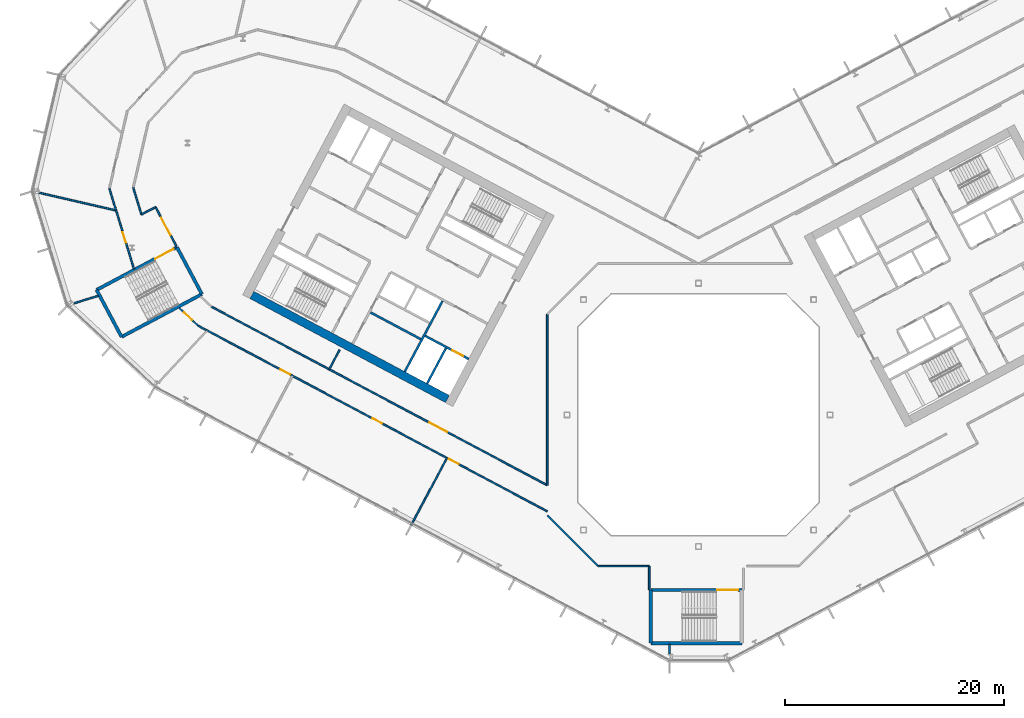
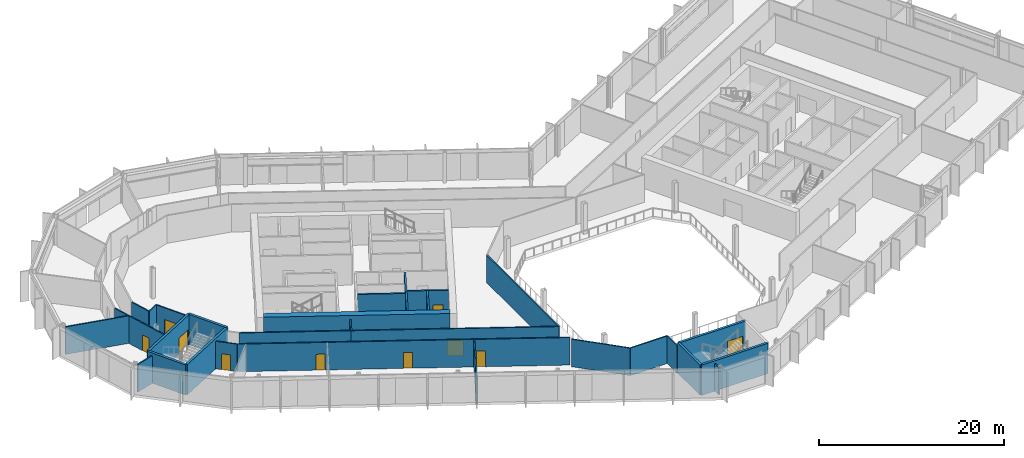
# One storey, part 13 of 28: 31 walls, 10 doors, 10 openings.
"""IFC4 building model written with IfcOpenShell, lengths in metres."""

import ifcopenshell
import ifcopenshell.guid

model = None  # the IFC model being written
_history = None  # IfcOwnerHistory: only IFC2X3 demands one
_inside = {}  # id of a spatial element -> (the spatial element, [elements in it])
_under = {}  # id of a project, library or spatial element -> (it, [spatial elements below it])
_declared = {}  # id of a project -> (the project, [libraries it declares])
_typed = {}  # id of a type object -> (the type object, [elements of that type])
_made_of = {}  # id of a material, layer set ... -> (it, [elements and type objects made of it])


def new_model(schema):
    """Start an empty IFC model of exactly this schema.

    Asked for "IFC4X3", IfcOpenShell would pick the latest addendum, in which some entities
    have other attributes; the version numbers below select the first issue.
    IFC2X3 requires an IfcOwnerHistory on every rooted entity: one is made here for all.
    """
    global model, _history
    if schema == "IFC4X3":
        model = ifcopenshell.file(schema_version=(4, 3, 0, 0))
    else:
        model = ifcopenshell.file(schema=schema)
    _inside.clear()
    _under.clear()
    _declared.clear()
    _typed.clear()
    _made_of.clear()
    _history = None
    if model.schema == "IFC2X3":
        org = make("IfcOrganization", Name="unknown")
        user = make(
            "IfcPersonAndOrganization",
            ThePerson=make("IfcPerson", FamilyName="unknown"),
            TheOrganization=org,
        )
        app = make(
            "IfcApplication",
            ApplicationDeveloper=org,
            Version="unknown",
            ApplicationFullName="unknown",
            ApplicationIdentifier="unknown",
        )
        _history = make(
            "IfcOwnerHistory",
            OwningUser=user,
            OwningApplication=app,
            ChangeAction="ADDED",
            CreationDate=0,
        )
    return model


def make(cls, **values):
    """One entity of the class cls with the attributes given. An attribute that is None is left unset."""
    return model.create_entity(
        cls, **{name: value for name, value in values.items() if value is not None}
    )


def rooted(cls, **values):
    """An entity with a GlobalId (a new one), such as an element, a storey or a relation."""
    return make(cls, GlobalId=ifcopenshell.guid.new(), OwnerHistory=_history, **values)


def si_unit(unit_type, name, prefix=None):
    """IfcSIUnit, for example si_unit("LENGTHUNIT", "METRE", prefix="MILLI")."""
    return make("IfcSIUnit", UnitType=unit_type, Prefix=prefix, Name=name)


def assignment(units):
    """IfcUnitAssignment: the units of a project."""
    return None if units is None else make("IfcUnitAssignment", Units=units)


def point(xyz):
    """IfcCartesianPoint."""
    return None if xyz is None else make("IfcCartesianPoint", Coordinates=xyz)


def direction(xyz):
    """IfcDirection."""
    return None if xyz is None else make("IfcDirection", DirectionRatios=xyz)


def frame(location, z_axis=None, x_axis=None):
    """IfcAxis2Placement3D, a coordinate frame: its origin and axes. An axis left out is left unset."""
    return make(
        "IfcAxis2Placement3D",
        Location=point(location),
        Axis=direction(z_axis),
        RefDirection=direction(x_axis),
    )


def frame_2d(location, x_axis=None):
    """IfcAxis2Placement2D, a coordinate frame in the plane: its origin and x axis."""
    return make(
        "IfcAxis2Placement2D", Location=point(location), RefDirection=direction(x_axis)
    )


def origin():
    """The frame at (0, 0, 0) with its axes left unset."""
    return frame((0.0, 0.0, 0.0))


def place(relative_to, where):
    """IfcLocalPlacement: puts the frame where relative to a parent placement (None: the world)."""
    return make(
        "IfcLocalPlacement", PlacementRelTo=relative_to, RelativePlacement=where
    )


def context(
    kind, dimensions, precision=None, world=None, true_north=None, identifier=None
):
    """IfcGeometricRepresentationContext, for example the 3D "Model" context."""
    return make(
        "IfcGeometricRepresentationContext",
        ContextIdentifier=identifier,
        ContextType=kind,
        CoordinateSpaceDimension=dimensions,
        Precision=precision,
        WorldCoordinateSystem=world,
        TrueNorth=true_north,
    )


def subcontext(parent, identifier, kind, view, scale=None):
    """IfcGeometricRepresentationSubContext, for example "Body" below "Model"."""
    return make(
        "IfcGeometricRepresentationSubContext",
        ContextIdentifier=identifier,
        ContextType=kind,
        ParentContext=parent,
        TargetScale=scale,
        TargetView=view,
    )


def project(units=None, contexts=None):
    """IfcProject with its units and contexts."""
    return rooted(
        "IfcProject",
        Name="project",
        RepresentationContexts=contexts,
        UnitsInContext=assignment(units),
    )


def spatial(cls, under=None, at=None, **own):
    """A site, building, storey or space (cls), placed at a placement, below another one or the project."""
    s = rooted(cls, ObjectPlacement=at, **own)
    if under is not None:
        _under.setdefault(under.id(), (under, []))[1].append(s)
    return s


def profile(cls, at=None, kind="AREA", **sizes):
    """A parametric profile (cls). Its sizes go by their IFC names, for example OverallWidth=200.0."""
    return make(cls, ProfileType=kind, Position=at, **sizes)


def rectangle(**sizes):
    """IfcRectangleProfileDef."""
    return profile("IfcRectangleProfileDef", **sizes)


def extrude(swept, where, along, depth):
    """IfcExtrudedAreaSolid: the profile swept, set in the frame where, extruded along a direction by depth."""
    return make(
        "IfcExtrudedAreaSolid",
        SweptArea=swept,
        Position=where,
        ExtrudedDirection=direction(along),
        Depth=depth,
    )


def shape(context_of_items, identifier, shape_type, items):
    """IfcShapeRepresentation: the items that make up one representation, for example the "Body"."""
    return make(
        "IfcShapeRepresentation",
        ContextOfItems=context_of_items,
        RepresentationIdentifier=identifier,
        RepresentationType=shape_type,
        Items=items,
    )


def material(Name=None, Category=None):
    """IfcMaterial."""
    return make("IfcMaterial", Name=Name, Category=Category)


def layer(
    of_material, thickness, ventilated=None, Name=None, Category=None, Priority=None
):
    """IfcMaterialLayer: one layer of a wall or slab, of a material (None: an air gap)."""
    return make(
        "IfcMaterialLayer",
        Material=of_material,
        LayerThickness=thickness,
        IsVentilated=ventilated,
        Name=Name,
        Category=Category,
        Priority=Priority,
    )


def layer_set(layers, Name=None):
    """IfcMaterialLayerSet."""
    return make("IfcMaterialLayerSet", MaterialLayers=layers, LayerSetName=Name)


def made_of(thing, what):
    """Note that an element or type object is made of a material, layer set ...; save() writes the relation."""
    if what is not None:
        _made_of.setdefault(what.id(), (what, []))[1].append(thing)
    return thing


def type_object(cls, material=None, **own):
    """A type object (cls), such as IfcWallType, which elements share."""
    return made_of(rooted(cls, **own), material)


def element(
    cls,
    number,
    at=None,
    inside=None,
    cuts=None,
    type_object=None,
    material=None,
    context=None,
    identifier="Body",
    shape_type=None,
    held_by="IfcProductDefinitionShape",
    body=None,
    shapes=None,
    **own,
):
    """One element of the class cls, such as IfcWall. Its Tag is "e" and its number.

    at: its placement. inside: the storey or other place that contains it. cuts: it is an
    opening in that element (IfcRelVoidsElement). A single representation is given by context,
    identifier, shape_type and body (its items); several are given by shapes. held_by: the class
    of the entity that holds the representations. save() writes the other relations.
    """
    e = rooted(cls, Tag="e%d" % number, ObjectPlacement=at, **own)
    if body is not None:
        shapes = [shape(context, identifier, shape_type, body)]
    if shapes is not None:
        e.Representation = make(held_by, Representations=shapes)
    if inside is not None:
        _inside.setdefault(inside.id(), (inside, []))[1].append(e)
    if cuts is not None:
        rooted(
            "IfcRelVoidsElement", RelatingBuildingElement=cuts, RelatedOpeningElement=e
        )
    if type_object is not None:
        _typed.setdefault(type_object.id(), (type_object, []))[1].append(e)
    return made_of(e, material)


def fill(opening, filler):
    """IfcRelFillsElement: the door or window that sits in an opening."""
    return rooted(
        "IfcRelFillsElement",
        RelatingOpeningElement=opening,
        RelatedBuildingElement=filler,
    )


def aggregate(whole, parts):
    """IfcRelAggregates: a whole, such as a stair, and the parts it consists of."""
    return rooted("IfcRelAggregates", RelatingObject=whole, RelatedObjects=parts)


def save(model, path):
    """Write the relations noted so far, then the file.

    IfcRelAggregates (storeys below a building ...), IfcRelContainedInSpatialStructure (elements
    in a storey), IfcRelDefinesByType, IfcRelAssociatesMaterial and IfcRelDeclares: one each for
    every whole, place, type object, material and project.
    """
    for whole, parts in _under.values():
        aggregate(whole, parts)
    for where, things in _inside.values():
        rooted(
            "IfcRelContainedInSpatialStructure",
            RelatedElements=things,
            RelatingStructure=where,
        )
    for kind, things in _typed.values():
        rooted("IfcRelDefinesByType", RelatedObjects=things, RelatingType=kind)
    for what, things in _made_of.values():
        rooted("IfcRelAssociatesMaterial", RelatedObjects=things, RelatingMaterial=what)
    for by, libraries in _declared.values():
        rooted("IfcRelDeclares", RelatingContext=by, RelatedDefinitions=libraries)
    model.write(path)


model = new_model("IFC4")

# Units and contexts
model_context = context("Model", 3, precision=1e-05, world=origin(), true_north=direction((0.0, 1.0)))
body_context = subcontext(model_context, "Body", "Model", "MODEL_VIEW")
ifc_project = project(units=[si_unit("LENGTHUNIT", "METRE"), si_unit("AREAUNIT", "SQUARE_METRE"), si_unit("VOLUMEUNIT", "CUBIC_METRE"), si_unit("PLANEANGLEUNIT", "RADIAN"), si_unit("MASSUNIT", "GRAM", prefix="KILO")], contexts=[model_context])

# Site, building, storey
site_placement = place(None, origin())
site = spatial("IfcSite", under=ifc_project, at=site_placement, CompositionType="ELEMENT")
building_placement = place(site_placement, origin())
building = spatial("IfcBuilding", under=site, at=building_placement, Name="Cormorant Relay Tower", CompositionType="ELEMENT")
storey_placement = place(building_placement, frame((0.0, 0.0, 138.199951171875)))
storey = spatial("IfcBuildingStorey", under=building, at=storey_placement, Name="L28", CompositionType="ELEMENT", Elevation=138.199951171875)

# Walls
ifc_material_1 = material(Name="Concrete 40 MPa", Category="concrete")
ifc_layer_1 = layer(ifc_material_1, 0.199951171875)
ifc_layer_set_1 = layer_set([ifc_layer_1], Name="Core internal wall 200")
wall_type_1 = type_object("IfcWallType", Name="Core internal wall 200", PredefinedType="SOLIDWALL", material=ifc_layer_set_1)
wall_1_placement = place(storey_placement, frame((-25.326416015625, 6.8974609375, 0.0), z_axis=(0.0, 0.0, 1.0), x_axis=(-0.882953967957, 0.469459572775, 0.0)))
element("IfcWall", 1, at=wall_1_placement, inside=storey, type_object=wall_type_1, Name="L28 core A shaft and room wall", PredefinedType="SOLIDWALL", context=body_context, shape_type="SweptSolid", body=[
    extrude(rectangle(XDim=5.199951171875, YDim=0.199951171875, at=frame_2d((2.60009765625, 0.0))), origin(), (0.0, 0.0, 1.0), 4.0),
])
ifc_material_2 = material(Name="Concrete 50 MPa", Category="concrete")
ifc_layer_2 = layer(ifc_material_2, 0.199951171875)
ifc_layer_set_2 = layer_set([ifc_layer_2], Name="Core shaft wall 200")
wall_type_2 = type_object("IfcWallType", Name="Core shaft wall 200", PredefinedType="SHEAR", material=ifc_layer_set_2)
wall_2_placement = place(storey_placement, frame((-23.04296875, 6.07958984375, 0.0), z_axis=(0.0, 0.0, 1.0), x_axis=(-0.469494272526, -0.882935517501, 0.0)))
element("IfcWall", 2, at=wall_2_placement, inside=storey, type_object=wall_type_2, Name="L28 core A shaft wall", PredefinedType="SHEAR", context=body_context, shape_type="SweptSolid", body=[
    extrude(rectangle(XDim=3.64990234375, YDim=0.199951171875, at=frame_2d((1.824951171875, 0.0))), origin(), (0.0, 0.0, 1.0), 4.0),
])
wall_3_placement = place(storey_placement, frame((-23.360107421875, 10.38232421875, 0.0), z_axis=(0.0, 0.0, 1.0), x_axis=(-0.469480409012, -0.88294288918, 0.0)))
element("IfcWall", 3, at=wall_3_placement, inside=storey, type_object=wall_type_2, Name="L28 core A shaft wall", PredefinedType="SHEAR", context=body_context, shape_type="SweptSolid", body=[
    extrude(rectangle(XDim=7.300048828125, YDim=0.199951171875, at=frame_2d((3.64990234375, 0.0))), origin(), (0.0, 0.0, 1.0), 4.0),
])

# Wall, opening, door
wall_4_placement = place(storey_placement, frame((-20.96533203125, 5.088134765625, 0.0), z_axis=(0.0, 0.0, 1.0), x_axis=(-0.882925986334, 0.469512196493, 0.0)))
wall_4 = element("IfcWall", 4, at=wall_4_placement, inside=storey, type_object=wall_type_2, Name="L28 core A shaft wall", PredefinedType="SHEAR", context=body_context, shape_type="SweptSolid", body=[
    extrude(rectangle(XDim=4.5, YDim=0.199951171875, at=frame_2d((2.25, 0.0))), origin(), (0.0, 0.0, 1.0), 4.0),
])
opening_1_placement = place(wall_4_placement, frame((0.60009765625, 0.0, 0.0)))
opening_1 = element("IfcOpeningElement", 5, at=opening_1_placement, cuts=wall_4, Name="Opening LD1-043", PredefinedType="OPENING", context=body_context, shape_type="SweptSolid", body=[
    extrude(rectangle(XDim=1.10009765625, YDim=2.10009765625, at=frame_2d((0.550048828125, 1.050048828125))), frame((0.0, 0.10986328125, 0.0), z_axis=(0.0, -1.0, 0.0), x_axis=(1.0, 0.0, 0.0)), (0.0, 0.0, 1.0), 0.219970703125),
])
ifc_material_3 = material(Name="Stainless steel 316", Category="steel")
door_type_1 = type_object("IfcDoorType", Name="Lift landing door 1100x2100", OperationType="DOUBLE_DOOR_SLIDING", PredefinedType="DOOR", material=ifc_material_3)
door_1_placement = place(opening_1_placement, origin())
door_1 = element("IfcDoor", 6, at=door_1_placement, inside=storey, type_object=door_type_1, Name="FF1 landing door", OperationType="DOUBLE_DOOR_SLIDING", OverallHeight=2.10009765625, OverallWidth=1.10009765625, PredefinedType="DOOR", context=body_context, shape_type="SweptSolid", body=[
    extrude(rectangle(XDim=1.10009765625, YDim=2.10009765625, at=frame_2d((0.550048828125, 1.050048828125))), frame((0.0, 0.02490234375, 0.0), z_axis=(0.0, -1.0, 0.0), x_axis=(1.0, 0.0, 0.0)), (0.0, 0.0, 1.0), 0.050048828125),
])
fill(opening_1, door_1)

# Walls
ifc_material_4 = material(Name="Concrete 60 MPa", Category="concrete")
ifc_layer_3 = layer(ifc_material_4, 0.75)
ifc_layer_set_3 = layer_set([ifc_layer_3], Name="Core wall 750")
wall_type_3 = type_object("IfcWallType", Name="Core wall 750", PredefinedType="SHEAR", material=ifc_layer_set_3)
wall_5_placement = place(storey_placement, frame((-22.90185546875, 1.446044921875, 0.0), z_axis=(0.0, 0.0, 1.0), x_axis=(-0.88294509198, 0.469476266226, 0.0)))
element("IfcWall", 7, at=wall_5_placement, inside=storey, type_object=wall_type_3, Name="L28 core A wall", PredefinedType="SHEAR", context=body_context, shape_type="SweptSolid", body=[
    extrude(rectangle(XDim=20.199951171875, YDim=0.75, at=frame_2d((10.10009765625, 0.0))), origin(), (0.0, 0.0, 1.0), 4.0),
])
ifc_material_5 = material(Name="Gypsum board fire partition")
ifc_layer_4 = layer(ifc_material_5, 0.14990234375)
ifc_layer_set_4 = layer_set([ifc_layer_4], Name="Corridor partition 150 EI 60")
wall_type_4 = type_object("IfcWallType", Name="Corridor partition 150 EI 60", PredefinedType="PARTITIONING", material=ifc_layer_set_4)
wall_6_placement = place(storey_placement, frame((-53.736083984375, 20.636962890625, 0.0), z_axis=(0.0, 0.0, 1.0), x_axis=(0.292570604626, -0.956243923541, 0.0)))
element("IfcWall", 8, at=wall_6_placement, inside=storey, type_object=wall_type_4, Name="wall/L28/part/005", PredefinedType="PARTITIONING", context=body_context, shape_type="SweptSolid", body=[
    extrude(rectangle(XDim=2.06103515625, YDim=0.14990234375, at=frame_2d((1.030517578125, 0.0))), origin(), (0.0, 0.0, 1.0), 3.64013671875),
])

# Wall, opening, door
wall_7_placement = place(storey_placement, frame((-51.498046875, 13.318115234375, 0.0), z_axis=(0.0, 0.0, 1.0), x_axis=(-0.292370483919, 0.956305129199, 0.0)))
wall_7 = element("IfcWall", 9, at=wall_7_placement, inside=storey, type_object=wall_type_4, Name="wall/L28/part/006", PredefinedType="PARTITIONING", context=body_context, shape_type="SweptSolid", body=[
    extrude(rectangle(XDim=5.59228515625, YDim=0.14990234375, at=frame_2d((2.796142578125, 0.0))), origin(), (0.0, 0.0, 1.0), 3.64013671875),
])
opening_2_placement = place(wall_7_placement, frame((2.5, 0.0, 0.0)))
opening_2 = element("IfcOpeningElement", 10, at=opening_2_placement, cuts=wall_7, Name="Opening DS-029", PredefinedType="OPENING", context=body_context, shape_type="SweptSolid", body=[
    extrude(rectangle(XDim=1.0, YDim=2.10009765625, at=frame_2d((0.5, 1.050048828125))), frame((0.0, 0.0849609375, 0.0), z_axis=(0.0, -1.0, 0.0), x_axis=(1.0, 0.0, 0.0)), (0.0, 0.0, 1.0), 0.169921875),
])
ifc_material_6 = material(Name="Timber door leaf", Category="wood")
door_type_2 = type_object("IfcDoorType", Name="Suite door 1000x2100", OperationType="SINGLE_SWING_LEFT", PredefinedType="DOOR", material=ifc_material_6)
door_2_placement = place(opening_2_placement, origin())
door_2 = element("IfcDoor", 11, at=door_2_placement, inside=storey, type_object=door_type_2, Name="door/L28/016", OperationType="SINGLE_SWING_LEFT", OverallHeight=2.10009765625, OverallWidth=1.0, PredefinedType="DOOR", context=body_context, shape_type="SweptSolid", body=[
    extrude(rectangle(XDim=1.0, YDim=2.10009765625, at=frame_2d((0.5, 1.050048828125))), frame((0.0, 0.02490234375, 0.0), z_axis=(0.0, -1.0, 0.0), x_axis=(1.0, 0.0, 0.0)), (0.0, 0.0, 1.0), 0.050048828125),
])
fill(opening_2, door_2)

wall_8_placement = place(storey_placement, frame((-47.62109375, 15.3779296875, 0.0), z_axis=(0.0, 0.0, 1.0), x_axis=(-0.469542997944, 0.882909606404, 0.0)))
wall_8 = element("IfcWall", 12, at=wall_8_placement, inside=storey, type_object=wall_type_4, Name="wall/L28/part/016", PredefinedType="PARTITIONING", context=body_context, shape_type="SweptSolid", body=[
    extrude(rectangle(XDim=4.050537109375, YDim=0.14990234375, at=frame_2d((2.025390625, 0.0))), origin(), (0.0, 0.0, 1.0), 3.64013671875),
])
opening_3_placement = place(wall_8_placement, frame((1.14990234375, 0.0, 0.0)))
opening_3 = element("IfcOpeningElement", 13, at=opening_3_placement, cuts=wall_8, Name="Opening DD-005", PredefinedType="OPENING", context=body_context, shape_type="SweptSolid", body=[
    extrude(rectangle(XDim=1.800048828125, YDim=2.10009765625, at=frame_2d((0.89990234375, 1.050048828125))), frame((0.0, 0.0849609375, 0.0), z_axis=(0.0, -1.0, 0.0), x_axis=(1.0, 0.0, 0.0)), (0.0, 0.0, 1.0), 0.169921875),
])
ifc_material_7 = material(Name="Timber door leaf", Category="wood")
door_type_3 = type_object("IfcDoorType", Name="Suite double door 1800x2100", OperationType="DOUBLE_DOOR_SINGLE_SWING", PredefinedType="DOOR", material=ifc_material_7)
door_3_placement = place(opening_3_placement, frame((1.800048828125, 0.0, 0.0), z_axis=(0.0, 0.0, 1.0), x_axis=(-1.0, 0.0, 0.0)))
door_3 = element("IfcDoor", 14, at=door_3_placement, inside=storey, type_object=door_type_3, Name="door/L28/001", OperationType="DOUBLE_DOOR_SINGLE_SWING", OverallHeight=2.10009765625, OverallWidth=1.800048828125, PredefinedType="DOOR", context=body_context, shape_type="SweptSolid", body=[
    extrude(rectangle(XDim=1.800048828125, YDim=2.10009765625, at=frame_2d((0.89990234375, 1.050048828125))), frame((0.0, 0.02490234375, 0.0), z_axis=(0.0, -1.0, 0.0), x_axis=(1.0, 0.0, 0.0)), (0.0, 0.0, 1.0), 0.050048828125),
])
fill(opening_3, door_3)

# Walls
wall_9_placement = place(storey_placement, frame((-49.52294921875, 18.9541015625, 0.0), z_axis=(0.0, 0.0, 1.0), x_axis=(-0.882657481443, -0.470016776778, 0.0)))
element("IfcWall", 15, at=wall_9_placement, inside=storey, type_object=wall_type_4, Name="wall/L28/part/017", PredefinedType="PARTITIONING", context=body_context, shape_type="SweptSolid", body=[
    extrude(rectangle(XDim=1.4638671875, YDim=0.14990234375, at=frame_2d((0.73193359375, 0.0))), origin(), (0.0, 0.0, 1.0), 3.64013671875),
])
wall_10_placement = place(storey_placement, frame((-50.81494140625, 18.26611328125, 0.0), z_axis=(0.0, 0.0, 1.0), x_axis=(-0.292368834646, 0.956305633429, 0.0)))
element("IfcWall", 16, at=wall_10_placement, inside=storey, type_object=wall_type_4, Name="wall/L28/part/018", PredefinedType="PARTITIONING", context=body_context, shape_type="SweptSolid", body=[
    extrude(rectangle(XDim=2.55859375, YDim=0.14990234375, at=frame_2d((1.279296875, 0.0))), origin(), (0.0, 0.0, 1.0), 3.64013671875),
])
wall_11_placement = place(storey_placement, frame((-44.8798828125, 7.72412109375, 0.0), z_axis=(0.0, 0.0, 1.0), x_axis=(-0.883060479617, 0.469259192067, 0.0)))
element("IfcWall", 17, at=wall_11_placement, inside=storey, type_object=wall_type_4, Name="wall/L28/part/024", PredefinedType="PARTITIONING", context=body_context, shape_type="SweptSolid", body=[
    extrude(rectangle(XDim=0.8583984375, YDim=0.14990234375, at=frame_2d((0.42919921875, 0.0))), origin(), (0.0, 0.0, 1.0), 3.64013671875),
])

# Wall, opening, door
wall_12_placement = place(storey_placement, frame((-45.637939453125, 8.126953125, 0.0), z_axis=(0.0, 0.0, 1.0), x_axis=(-0.731136071802, 0.682231664839, 0.0)))
wall_12 = element("IfcWall", 18, at=wall_12_placement, inside=storey, type_object=wall_type_4, Name="wall/L28/part/025", PredefinedType="PARTITIONING", context=body_context, shape_type="SweptSolid", body=[
    extrude(rectangle(XDim=2.4111328125, YDim=0.14990234375, at=frame_2d((1.20556640625, 0.0))), origin(), (0.0, 0.0, 1.0), 3.64013671875),
])
opening_4_placement = place(wall_12_placement, frame((0.75, 0.0, 0.0)))
opening_4 = element("IfcOpeningElement", 19, at=opening_4_placement, cuts=wall_12, Name="Opening DS-030", PredefinedType="OPENING", context=body_context, shape_type="SweptSolid", body=[
    extrude(rectangle(XDim=1.0, YDim=2.10009765625, at=frame_2d((0.5, 1.050048828125))), frame((0.0, 0.0849609375, 0.0), z_axis=(0.0, -1.0, 0.0), x_axis=(1.0, 0.0, 0.0)), (0.0, 0.0, 1.0), 0.169921875),
])
door_4_placement = place(opening_4_placement, origin())
door_4 = element("IfcDoor", 20, at=door_4_placement, inside=storey, type_object=door_type_2, Name="door/L28/017", OperationType="SINGLE_SWING_RIGHT", OverallHeight=2.10009765625, OverallWidth=1.0, PredefinedType="DOOR", context=body_context, shape_type="SweptSolid", body=[
    extrude(rectangle(XDim=1.0, YDim=2.10009765625, at=frame_2d((0.5, 1.050048828125))), frame((0.0, 0.02490234375, 0.0), z_axis=(0.0, -1.0, 0.0), x_axis=(1.0, 0.0, 0.0)), (0.0, 0.0, 1.0), 0.050048828125),
])
fill(opening_4, door_4)

# Wall, openings, doors
wall_13_placement = place(storey_placement, frame((-13.802001953125, -8.800048828125, 0.0), z_axis=(0.0, 0.0, 1.0), x_axis=(-0.882950330338, 0.4694664143, 0.0)))
wall_13 = element("IfcWall", 21, at=wall_13_placement, inside=storey, type_object=wall_type_4, Name="wall/L28/part/027", PredefinedType="PARTITIONING", context=body_context, shape_type="SweptSolid", body=[
    extrude(rectangle(XDim=35.19775390625, YDim=0.14990234375, at=frame_2d((17.598876953125, 0.0))), origin(), (0.0, 0.0, 1.0), 3.64013671875),
])
opening_5_placement = place(wall_13_placement, frame((26.550048828125, 0.0, 0.0)))
opening_5 = element("IfcOpeningElement", 22, at=opening_5_placement, cuts=wall_13, Name="Opening DS-031", PredefinedType="OPENING", context=body_context, shape_type="SweptSolid", body=[
    extrude(rectangle(XDim=1.0, YDim=2.10009765625, at=frame_2d((0.5, 1.050048828125))), frame((0.0, 0.0849609375, 0.0), z_axis=(0.0, -1.0, 0.0), x_axis=(1.0, 0.0, 0.0)), (0.0, 0.0, 1.0), 0.169921875),
])
opening_6_placement = place(wall_13_placement, frame((17.050048828125, 0.0, 0.0)))
opening_6 = element("IfcOpeningElement", 23, at=opening_6_placement, cuts=wall_13, Name="Opening DS-032", PredefinedType="OPENING", context=body_context, shape_type="SweptSolid", body=[
    extrude(rectangle(XDim=1.0, YDim=2.10009765625, at=frame_2d((0.5, 1.050048828125))), frame((0.0, 0.0849609375, 0.0), z_axis=(0.0, -1.0, 0.0), x_axis=(1.0, 0.0, 0.0)), (0.0, 0.0, 1.0), 0.169921875),
])
opening_7_placement = place(wall_13_placement, frame((9.14892578125, 0.0, 0.0)))
opening_7 = element("IfcOpeningElement", 24, at=opening_7_placement, cuts=wall_13, Name="Opening DS-033", PredefinedType="OPENING", context=body_context, shape_type="SweptSolid", body=[
    extrude(rectangle(XDim=1.0, YDim=2.10009765625, at=frame_2d((0.5, 1.050048828125))), frame((0.0, 0.0849609375, 0.0), z_axis=(0.0, -1.0, 0.0), x_axis=(1.0, 0.0, 0.0)), (0.0, 0.0, 1.0), 0.169921875),
])
door_5_placement = place(opening_5_placement, origin())
door_5 = element("IfcDoor", 25, at=door_5_placement, inside=storey, type_object=door_type_2, Name="door/L28/018", OperationType="SINGLE_SWING_LEFT", OverallHeight=2.10009765625, OverallWidth=1.0, PredefinedType="DOOR", context=body_context, shape_type="SweptSolid", body=[
    extrude(rectangle(XDim=1.0, YDim=2.10009765625, at=frame_2d((0.5, 1.050048828125))), frame((0.0, 0.02490234375, 0.0), z_axis=(0.0, -1.0, 0.0), x_axis=(1.0, 0.0, 0.0)), (0.0, 0.0, 1.0), 0.050048828125),
])
fill(opening_5, door_5)
door_6_placement = place(opening_6_placement, origin())
door_6 = element("IfcDoor", 26, at=door_6_placement, inside=storey, type_object=door_type_2, Name="door/L28/019", OperationType="SINGLE_SWING_LEFT", OverallHeight=2.10009765625, OverallWidth=1.0, PredefinedType="DOOR", context=body_context, shape_type="SweptSolid", body=[
    extrude(rectangle(XDim=1.0, YDim=2.10009765625, at=frame_2d((0.5, 1.050048828125))), frame((0.0, 0.02490234375, 0.0), z_axis=(0.0, -1.0, 0.0), x_axis=(1.0, 0.0, 0.0)), (0.0, 0.0, 1.0), 0.050048828125),
])
fill(opening_6, door_6)
door_7_placement = place(opening_7_placement, origin())
door_7 = element("IfcDoor", 27, at=door_7_placement, inside=storey, type_object=door_type_2, Name="door/L28/020", OperationType="SINGLE_SWING_RIGHT", OverallHeight=2.10009765625, OverallWidth=1.0, PredefinedType="DOOR", context=body_context, shape_type="SweptSolid", body=[
    extrude(rectangle(XDim=1.0, YDim=2.10009765625, at=frame_2d((0.5, 1.050048828125))), frame((0.0, 0.02490234375, 0.0), z_axis=(0.0, -1.0, 0.0), x_axis=(1.0, 0.0, 0.0)), (0.0, 0.0, 1.0), 0.050048828125),
])
fill(opening_7, door_7)

# Wall
wall_14_placement = place(storey_placement, frame((-33.68505859375, 4.14990234375, 0.0), z_axis=(0.0, 0.0, 1.0), x_axis=(-0.882957675396, 0.469452599801, 0.0)))
element("IfcWall", 28, at=wall_14_placement, inside=storey, type_object=wall_type_4, Name="wall/L28/part/028", PredefinedType="PARTITIONING", context=body_context, shape_type="SweptSolid", body=[
    extrude(rectangle(XDim=12.144287109375, YDim=0.14990234375, at=frame_2d((6.072265625, 0.0))), origin(), (0.0, 0.0, 1.0), 3.64013671875),
])

# Wall, opening, door
wall_15_placement = place(storey_placement, frame((-13.800048828125, -6.423095703125, 0.0), z_axis=(0.0, 0.0, 1.0), x_axis=(-0.882948498314, 0.469469859869, 0.0)))
wall_15 = element("IfcWall", 29, at=wall_15_placement, inside=storey, type_object=wall_type_4, Name="wall/L28/part/036", PredefinedType="PARTITIONING", context=body_context, shape_type="SweptSolid", body=[
    extrude(rectangle(XDim=22.521240234375, YDim=0.14990234375, at=frame_2d((11.2607421875, 0.0))), origin(), (0.0, 0.0, 1.0), 3.64013671875),
])
opening_8_placement = place(wall_15_placement, frame((10.35009765625, 0.0, 0.0)))
opening_8 = element("IfcOpeningElement", 30, at=opening_8_placement, cuts=wall_15, Name="Opening DD-006", PredefinedType="OPENING", context=body_context, shape_type="SweptSolid", body=[
    extrude(rectangle(XDim=1.800048828125, YDim=2.10009765625, at=frame_2d((0.89990234375, 1.050048828125))), frame((0.0, 0.0849609375, 0.0), z_axis=(0.0, -1.0, 0.0), x_axis=(1.0, 0.0, 0.0)), (0.0, 0.0, 1.0), 0.169921875),
])
door_8_placement = place(opening_8_placement, frame((1.800048828125, 0.0, 0.0), z_axis=(0.0, 0.0, 1.0), x_axis=(-1.0, 0.0, 0.0)))
door_8 = element("IfcDoor", 31, at=door_8_placement, inside=storey, type_object=door_type_3, Name="door/L28/002", OperationType="DOUBLE_DOOR_SINGLE_SWING", OverallHeight=2.10009765625, OverallWidth=1.800048828125, PredefinedType="DOOR", context=body_context, shape_type="SweptSolid", body=[
    extrude(rectangle(XDim=1.800048828125, YDim=2.10009765625, at=frame_2d((0.89990234375, 1.050048828125))), frame((0.0, 0.02490234375, 0.0), z_axis=(0.0, -1.0, 0.0), x_axis=(1.0, 0.0, 0.0)), (0.0, 0.0, 1.0), 0.050048828125),
])
fill(opening_8, door_8)

# Walls
wall_16_placement = place(storey_placement, frame((-13.800048828125, 9.159912109375, 0.0), z_axis=(0.0, 0.0, 1.0), x_axis=(0.0, -1.0, 0.0)))
element("IfcWall", 32, at=wall_16_placement, inside=storey, type_object=wall_type_4, Name="wall/L28/part/047", PredefinedType="PARTITIONING", context=body_context, shape_type="SweptSolid", body=[
    extrude(rectangle(XDim=15.5830078125, YDim=0.14990234375, at=frame_2d((7.79150390625, 0.0))), origin(), (0.0, 0.0, 1.0), 3.64013671875),
])
wall_17_placement = place(storey_placement, frame((-4.493896484375, -13.800048828125, 0.0), z_axis=(0.0, 0.0, 1.0), x_axis=(-1.0, 0.0, 0.0)))
element("IfcWall", 33, at=wall_17_placement, inside=storey, type_object=wall_type_4, Name="wall/L28/part/048", PredefinedType="PARTITIONING", context=body_context, shape_type="SweptSolid", body=[
    extrude(rectangle(XDim=4.666015625, YDim=0.14990234375, at=frame_2d((2.3330078125, 0.0))), origin(), (0.0, 0.0, 1.0), 3.64013671875),
])
wall_18_placement = place(storey_placement, frame((-9.159912109375, -13.800048828125, 0.0), z_axis=(0.0, 0.0, 1.0), x_axis=(-0.707106781187, 0.707106781187, 0.0)))
element("IfcWall", 34, at=wall_18_placement, inside=storey, type_object=wall_type_4, Name="wall/L28/part/049", PredefinedType="PARTITIONING", context=body_context, shape_type="SweptSolid", body=[
    extrude(rectangle(XDim=6.562255859375, YDim=0.14990234375, at=frame_2d((3.28125, 0.0))), origin(), (0.0, 0.0, 1.0), 3.64013671875),
])
wall_19_placement = place(storey_placement, frame((-4.5, -15.97509765625, 0.0), z_axis=(0.0, 0.0, 1.0), x_axis=(0.0, 1.0, 0.0)))
element("IfcWall", 35, at=wall_19_placement, inside=storey, type_object=wall_type_4, Name="wall/L28/part/050", PredefinedType="PARTITIONING", context=body_context, shape_type="SweptSolid", body=[
    extrude(rectangle(XDim=2.150146484375, YDim=0.14990234375, at=frame_2d((1.0751953125, 0.0))), origin(), (0.0, 0.0, 1.0), 3.64013671875),
])
ifc_material_8 = material(Name="Concrete 50 MPa", Category="concrete")
ifc_layer_5 = layer(ifc_material_8, 0.300048828125)
ifc_layer_set_5 = layer_set([ifc_layer_5], Name="Remote stair wall 300")
wall_type_5 = type_object("IfcWallType", Name="Remote stair wall 300", PredefinedType="SHEAR", material=ifc_layer_set_5)
wall_20_placement = place(storey_placement, frame((3.949951171875, -20.824951171875, 0.0), z_axis=(0.0, 0.0, 1.0), x_axis=(-1.0, 0.0, 0.0)))
element("IfcWall", 36, at=wall_20_placement, inside=storey, type_object=wall_type_5, Name="L28 exit stair RK1 wall", PredefinedType="SHEAR", context=body_context, shape_type="SweptSolid", body=[
    extrude(rectangle(XDim=8.300048828125, YDim=0.300048828125, at=frame_2d((4.14990234375, 0.0))), origin(), (0.0, 0.0, 1.0), 4.0),
])
wall_21_placement = place(storey_placement, frame((-4.35009765625, -20.824951171875, 0.0), z_axis=(0.0, 0.0, 1.0), x_axis=(0.0, 1.0, 0.0)))
element("IfcWall", 37, at=wall_21_placement, inside=storey, type_object=wall_type_5, Name="L28 exit stair RK1 wall", PredefinedType="SHEAR", context=body_context, shape_type="SweptSolid", body=[
    extrude(rectangle(XDim=4.849853515625, YDim=0.300048828125, at=frame_2d((2.4248046875, 0.0))), origin(), (0.0, 0.0, 1.0), 4.0),
])

# Wall, opening, door
wall_22_placement = place(storey_placement, frame((-4.35009765625, -15.97509765625, 0.0), z_axis=(0.0, 0.0, 1.0), x_axis=(1.0, 0.0, 0.0)))
wall_22 = element("IfcWall", 38, at=wall_22_placement, inside=storey, type_object=wall_type_5, Name="L28 exit stair RK1 wall", PredefinedType="SHEAR", context=body_context, shape_type="SweptSolid", body=[
    extrude(rectangle(XDim=8.300048828125, YDim=0.300048828125, at=frame_2d((4.14990234375, 0.0))), origin(), (0.0, 0.0, 1.0), 4.0),
])
opening_9_placement = place(wall_22_placement, frame((6.050048828125, 0.0, 0.0)))
opening_9 = element("IfcOpeningElement", 39, at=opening_9_placement, cuts=wall_22, Name="Opening CDE-012", PredefinedType="OPENING", context=body_context, shape_type="SweptSolid", body=[
    extrude(rectangle(XDim=1.89990234375, YDim=2.10009765625, at=frame_2d((0.949951171875, 1.050048828125))), frame((0.0, 0.159912109375, 0.0), z_axis=(0.0, -1.0, 0.0), x_axis=(1.0, 0.0, 0.0)), (0.0, 0.0, 1.0), 0.320068359375),
])
ifc_material_9 = material(Name="Steel fire door", Category="steel")
door_type_4 = type_object("IfcDoorType", Name="Remote stair door 1900x2100", OperationType="DOUBLE_DOOR_SINGLE_SWING", PredefinedType="DOOR", material=ifc_material_9)
door_9_placement = place(opening_9_placement, frame((1.89990234375, 0.0, 0.0), z_axis=(0.0, 0.0, 1.0), x_axis=(-1.0, 0.0, 0.0)))
door_9 = element("IfcDoor", 40, at=door_9_placement, inside=storey, type_object=door_type_4, Name="Exit stair RK1 door", OperationType="DOUBLE_DOOR_SINGLE_SWING", OverallHeight=2.10009765625, OverallWidth=1.89990234375, PredefinedType="DOOR", context=body_context, shape_type="SweptSolid", body=[
    extrude(rectangle(XDim=1.89990234375, YDim=2.10009765625, at=frame_2d((0.949951171875, 1.050048828125))), frame((0.0, 0.02490234375, 0.0), z_axis=(0.0, -1.0, 0.0), x_axis=(1.0, 0.0, 0.0)), (0.0, 0.0, 1.0), 0.050048828125),
])
fill(opening_9, door_9)

# Walls
wall_23_placement = place(storey_placement, frame((-47.57421875, 15.28955078125, 0.0), z_axis=(0.0, 0.0, 1.0), x_axis=(0.469443498566, -0.882962514297, 0.0)))
element("IfcWall", 41, at=wall_23_placement, inside=storey, type_object=wall_type_5, Name="L28 exit stair RP1 wall", PredefinedType="SHEAR", context=body_context, shape_type="SweptSolid", body=[
    extrude(rectangle(XDim=4.85009765625, YDim=0.300048828125, at=frame_2d((2.425048828125, 0.0))), origin(), (0.0, 0.0, 1.0), 4.0),
])
wall_24_placement = place(storey_placement, frame((-45.29736328125, 11.007080078125, 0.0), z_axis=(0.0, 0.0, 1.0), x_axis=(-0.882951519127, -0.469464178475, 0.0)))
element("IfcWall", 42, at=wall_24_placement, inside=storey, type_object=wall_type_5, Name="L28 exit stair RP1 wall", PredefinedType="SHEAR", context=body_context, shape_type="SweptSolid", body=[
    extrude(rectangle(XDim=8.2998046875, YDim=0.300048828125, at=frame_2d((4.14990234375, 0.0))), origin(), (0.0, 0.0, 1.0), 4.0),
])
wall_25_placement = place(storey_placement, frame((-52.625732421875, 7.110595703125, 0.0), z_axis=(0.0, 0.0, 1.0), x_axis=(-0.469464364128, 0.882951420416, 0.0)))
element("IfcWall", 43, at=wall_25_placement, inside=storey, type_object=wall_type_5, Name="L28 exit stair RP1 wall", PredefinedType="SHEAR", context=body_context, shape_type="SweptSolid", body=[
    extrude(rectangle(XDim=4.849853515625, YDim=0.300048828125, at=frame_2d((2.4248046875, 0.0))), origin(), (0.0, 0.0, 1.0), 4.0),
])

# Wall, opening, door
wall_26_placement = place(storey_placement, frame((-54.902587890625, 11.392822265625, 0.0), z_axis=(0.0, 0.0, 1.0), x_axis=(0.882939326045, 0.469487110071, 0.0)))
wall_26 = element("IfcWall", 44, at=wall_26_placement, inside=storey, type_object=wall_type_5, Name="L28 exit stair RP1 wall", PredefinedType="SHEAR", context=body_context, shape_type="SweptSolid", body=[
    extrude(rectangle(XDim=8.300048828125, YDim=0.300048828125, at=frame_2d((4.14990234375, 0.0))), origin(), (0.0, 0.0, 1.0), 4.0),
])
opening_10_placement = place(wall_26_placement, frame((6.050048828125, 0.0, 0.0)))
opening_10 = element("IfcOpeningElement", 45, at=opening_10_placement, cuts=wall_26, Name="Opening CDE-013", PredefinedType="OPENING", context=body_context, shape_type="SweptSolid", body=[
    extrude(rectangle(XDim=1.89990234375, YDim=2.10009765625, at=frame_2d((0.949951171875, 1.050048828125))), frame((0.0, 0.159912109375, 0.0), z_axis=(0.0, -1.0, 0.0), x_axis=(1.0, 0.0, 0.0)), (0.0, 0.0, 1.0), 0.320068359375),
])
door_10_placement = place(opening_10_placement, frame((1.89990234375, 0.0, 0.0), z_axis=(0.0, 0.0, 1.0), x_axis=(-1.0, 0.0, 0.0)))
door_10 = element("IfcDoor", 46, at=door_10_placement, inside=storey, type_object=door_type_4, Name="Exit stair RP1 door", OperationType="DOUBLE_DOOR_SINGLE_SWING", OverallHeight=2.10009765625, OverallWidth=1.89990234375, PredefinedType="DOOR", context=body_context, shape_type="SweptSolid", body=[
    extrude(rectangle(XDim=1.89990234375, YDim=2.10009765625, at=frame_2d((0.949951171875, 1.050048828125))), frame((0.0, 0.02490234375, 0.0), z_axis=(0.0, -1.0, 0.0), x_axis=(1.0, 0.0, 0.0)), (0.0, 0.0, 1.0), 0.050048828125),
])
fill(opening_10, door_10)

# Walls
ifc_material_10 = material(Name="Gypsum board partition")
ifc_layer_6 = layer(ifc_material_10, 0.14990234375)
ifc_layer_set_6 = layer_set([ifc_layer_6], Name="Tenant partition 150")
wall_type_6 = type_object("IfcWallType", Name="Tenant partition 150", PredefinedType="PARTITIONING", material=ifc_layer_set_6)
wall_27_placement = place(storey_placement, frame((-53.125, 18.639892578125, 0.0), z_axis=(0.0, 0.0, 1.0), x_axis=(-0.974351745411, 0.225030389536, 0.0)))
element("IfcWall", 47, at=wall_27_placement, inside=storey, type_object=wall_type_6, Name="wall/L28/part/001", PredefinedType="PARTITIONING", context=body_context, shape_type="SweptSolid", body=[
    extrude(rectangle(XDim=7.199462890625, YDim=0.14990234375, at=frame_2d((3.599609375, 0.0))), origin(), (0.0, 0.0, 1.0), 3.64013671875),
])
wall_28_placement = place(storey_placement, frame((-54.73193359375, 10.85693359375, 0.0), z_axis=(0.0, 0.0, 1.0), x_axis=(-0.956196980242, -0.292723991119, 0.0)))
element("IfcWall", 48, at=wall_28_placement, inside=storey, type_object=wall_type_6, Name="wall/L28/part/003", PredefinedType="PARTITIONING", context=body_context, shape_type="SweptSolid", body=[
    extrude(rectangle(XDim=2.343505859375, YDim=0.14990234375, at=frame_2d((1.171875, 0.0))), origin(), (0.0, 0.0, 1.0), 3.64013671875),
])
wall_29_placement = place(storey_placement, frame((-22.950927734375, -3.93603515625, 0.0), z_axis=(0.0, 0.0, 1.0), x_axis=(-0.469541311651, -0.882910503196, 0.0)))
element("IfcWall", 49, at=wall_29_placement, inside=storey, type_object=wall_type_6, Name="wall/L28/part/033", PredefinedType="PARTITIONING", context=body_context, shape_type="SweptSolid", body=[
    extrude(rectangle(XDim=6.94970703125, YDim=0.14990234375, at=frame_2d((3.474853515625, 0.0))), origin(), (0.0, 0.0, 1.0), 3.64013671875),
])
wall_30_placement = place(storey_placement, frame((-32.73193359375, 5.943115234375, 0.0), z_axis=(0.0, 0.0, 1.0), x_axis=(-0.469339803677, -0.88301763781, 0.0)))
element("IfcWall", 50, at=wall_30_placement, inside=storey, type_object=wall_type_6, Name="wall/L28/part/037", PredefinedType="PARTITIONING", context=body_context, shape_type="SweptSolid", body=[
    extrude(rectangle(XDim=2.03076171875, YDim=0.14990234375, at=frame_2d((1.015380859375, 0.0))), origin(), (0.0, 0.0, 1.0), 3.64013671875),
])
wall_31_placement = place(storey_placement, frame((-2.64892578125, -20.925048828125, 0.0), z_axis=(0.0, 0.0, 1.0), x_axis=(0.0, -1.0, 0.0)))
element("IfcWall", 51, at=wall_31_placement, inside=storey, type_object=wall_type_6, Name="wall/L28/part/051", PredefinedType="PARTITIONING", context=body_context, shape_type="SweptSolid", body=[
    extrude(rectangle(XDim=0.90283203125, YDim=0.14990234375, at=frame_2d((0.451416015625, 0.0))), origin(), (0.0, 0.0, 1.0), 3.64013671875),
])

save(model, "model.ifc")
